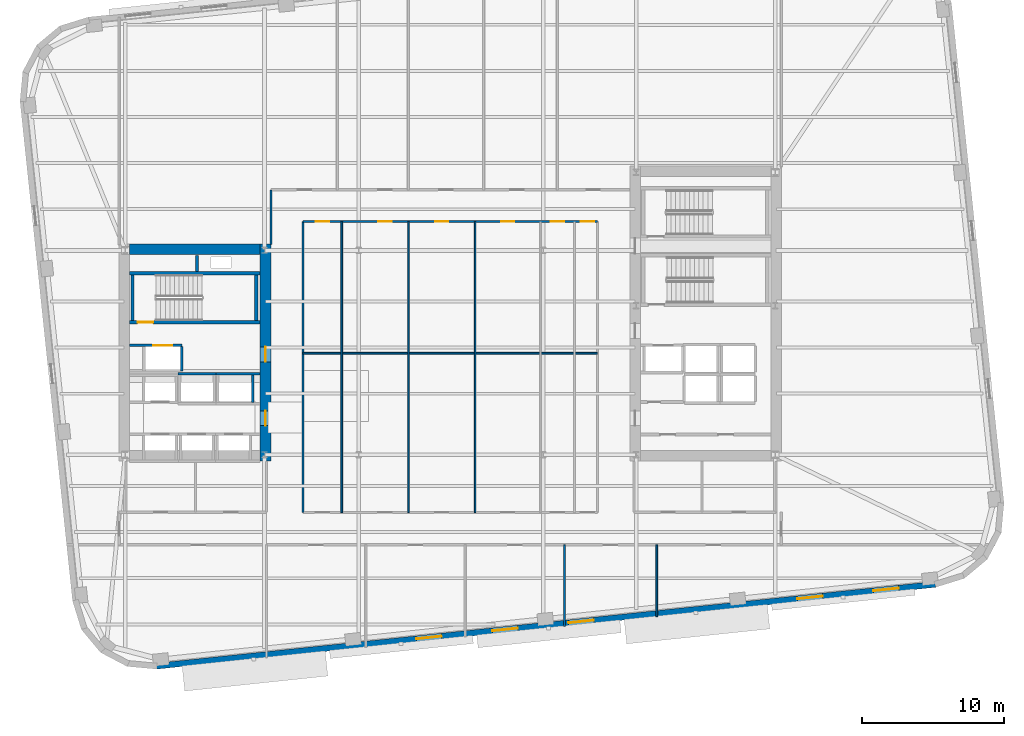
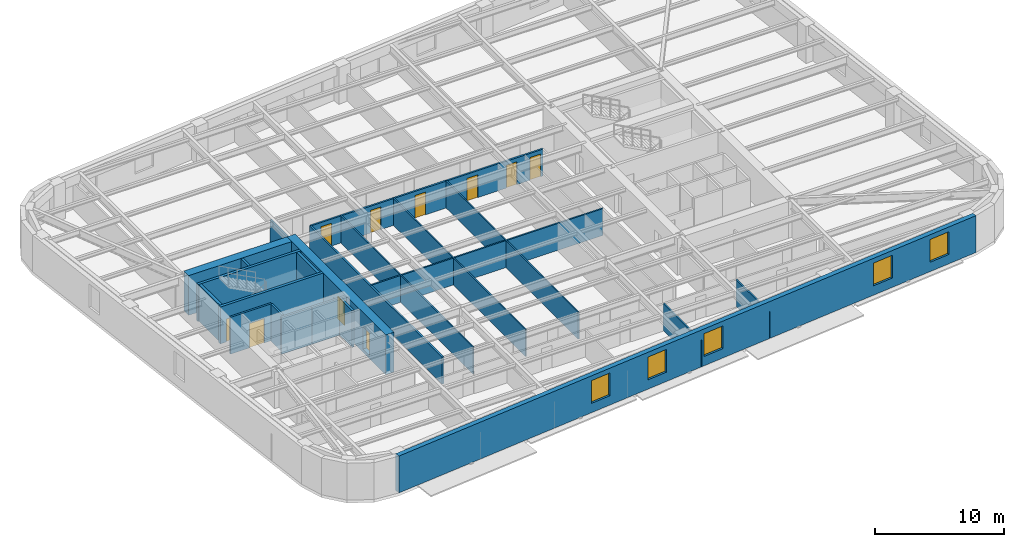
# One storey, part 5 of 13: 22 walls, 10 doors, 5 windows, 15 openings.
"""IFC4 building model written with IfcOpenShell, lengths in metres."""

from ifc_helpers import new_model, si_unit, direction, frame, frame_2d, origin, place, context, subcontext, project, spatial, rectangle, extrude, material, layer, layer_set, type_object, element, fill, save


model = new_model("IFC4")

# Units and contexts
model_context = context("Model", 3, precision=1e-05, world=origin(), true_north=direction((0.0, 1.0)))
body_context = subcontext(model_context, "Body", "Model", "MODEL_VIEW")
ifc_project = project(units=[si_unit("LENGTHUNIT", "METRE"), si_unit("AREAUNIT", "SQUARE_METRE"), si_unit("VOLUMEUNIT", "CUBIC_METRE"), si_unit("PLANEANGLEUNIT", "RADIAN"), si_unit("MASSUNIT", "GRAM", prefix="KILO")], contexts=[model_context])

# Site, building, storey
site_placement = place(None, origin())
site = spatial("IfcSite", under=ifc_project, at=site_placement, CompositionType="ELEMENT")
building_placement = place(site_placement, origin())
building = spatial("IfcBuilding", under=site, at=building_placement, Name="Kolvaren Arena Tower", CompositionType="ELEMENT")
storey_placement = place(building_placement, frame((0.0, 0.0, 145.75)))
storey = spatial("IfcBuildingStorey", under=building, at=storey_placement, Name="L34", CompositionType="ELEMENT", Elevation=145.75)

# Wall
ifc_material_1 = material(Name="Gypsum board acoustic assembly", Category="gypsum")
ifc_layer_1 = layer(ifc_material_1, 0.159912109375)
ifc_layer_set_1 = layer_set([ifc_layer_1], Name="Gypsum board acoustic assembly")
wall_type_1 = type_object("IfcWallType", Name="CORR-160", PredefinedType="PARTITIONING", material=ifc_layer_set_1)
wall_1_placement = place(storey_placement, frame((24.820068359375, 34.25, 0.0), z_axis=(0.0, 0.0, 1.0), x_axis=(0.0, 1.0, 0.0)))
element("IfcWall", 1, at=wall_1_placement, inside=storey, type_object=wall_type_1, Name="Interior Partition Wall (L34)", PredefinedType="PARTITIONING", context=body_context, shape_type="SweptSolid", body=[
    extrude(rectangle(XDim=3.8701171875, YDim=0.159912109375, at=frame_2d((1.93505859375, 0.0))), origin(), (0.0, 0.0, 1.0), 2.5400390625),
])

# Wall, openings, doors
wall_2_placement = place(storey_placement, frame((27.080078125, 35.8798828125, 0.0), z_axis=(0.0, 0.0, 1.0), x_axis=(1.0, 0.0, 0.0)))
wall_2 = element("IfcWall", 2, at=wall_2_placement, inside=storey, type_object=wall_type_1, Name="Interior Partition Wall (L34)", PredefinedType="PARTITIONING", context=body_context, shape_type="SweptSolid", body=[
    extrude(rectangle(XDim=20.739990234375, YDim=0.159912109375, at=frame_2d((10.3701171875, 0.0))), origin(), (0.0, 0.0, 1.0), 2.5400390625),
])
opening_1_placement = place(wall_2_placement, frame((0.89501953125, 0.0, 0.0)))
opening_1 = element("IfcOpeningElement", 3, at=opening_1_placement, cuts=wall_2, Name="Opening D05", PredefinedType="OPENING", context=body_context, shape_type="SweptSolid", body=[
    extrude(rectangle(XDim=0.949951171875, YDim=2.14990234375, at=frame_2d((0.47509765625, 1.074951171875))), frame((0.0, 0.08984375, 0.0), z_axis=(0.0, -1.0, 0.0), x_axis=(1.0, 0.0, 0.0)), (0.0, 0.0, 1.0), 0.179931640625),
])
opening_2_placement = place(wall_2_placement, frame((5.294921875, 0.0, 0.0)))
opening_2 = element("IfcOpeningElement", 4, at=opening_2_placement, cuts=wall_2, Name="Opening D05", PredefinedType="OPENING", context=body_context, shape_type="SweptSolid", body=[
    extrude(rectangle(XDim=0.949951171875, YDim=2.14990234375, at=frame_2d((0.47509765625, 1.074951171875))), frame((0.0, 0.08984375, 0.0), z_axis=(0.0, -1.0, 0.0), x_axis=(1.0, 0.0, 0.0)), (0.0, 0.0, 1.0), 0.179931640625),
])
opening_3_placement = place(wall_2_placement, frame((9.294921875, 0.0, 0.0)))
opening_3 = element("IfcOpeningElement", 5, at=opening_3_placement, cuts=wall_2, Name="Opening D05", PredefinedType="OPENING", context=body_context, shape_type="SweptSolid", body=[
    extrude(rectangle(XDim=0.949951171875, YDim=2.14990234375, at=frame_2d((0.47509765625, 1.074951171875))), frame((0.0, 0.08984375, 0.0), z_axis=(0.0, -1.0, 0.0), x_axis=(1.0, 0.0, 0.0)), (0.0, 0.0, 1.0), 0.179931640625),
])
opening_4_placement = place(wall_2_placement, frame((13.945068359375, 0.0, 0.0)))
opening_4 = element("IfcOpeningElement", 6, at=opening_4_placement, cuts=wall_2, Name="Opening D05", PredefinedType="OPENING", context=body_context, shape_type="SweptSolid", body=[
    extrude(rectangle(XDim=0.949951171875, YDim=2.14990234375, at=frame_2d((0.47509765625, 1.074951171875))), frame((0.0, 0.08984375, 0.0), z_axis=(0.0, -1.0, 0.0), x_axis=(1.0, 0.0, 0.0)), (0.0, 0.0, 1.0), 0.179931640625),
])
opening_5_placement = place(wall_2_placement, frame((17.445068359375, 0.0, 0.0)))
opening_5 = element("IfcOpeningElement", 7, at=opening_5_placement, cuts=wall_2, Name="Opening D05", PredefinedType="OPENING", context=body_context, shape_type="SweptSolid", body=[
    extrude(rectangle(XDim=0.949951171875, YDim=2.14990234375, at=frame_2d((0.47509765625, 1.074951171875))), frame((0.0, 0.08984375, 0.0), z_axis=(0.0, -1.0, 0.0), x_axis=(1.0, 0.0, 0.0)), (0.0, 0.0, 1.0), 0.179931640625),
])
opening_6_placement = place(wall_2_placement, frame((19.570068359375, 0.0, 0.0)))
opening_6 = element("IfcOpeningElement", 8, at=opening_6_placement, cuts=wall_2, Name="Opening D05", PredefinedType="OPENING", context=body_context, shape_type="SweptSolid", body=[
    extrude(rectangle(XDim=0.949951171875, YDim=2.14990234375, at=frame_2d((0.47509765625, 1.074951171875))), frame((0.0, 0.08984375, 0.0), z_axis=(0.0, -1.0, 0.0), x_axis=(1.0, 0.0, 0.0)), (0.0, 0.0, 1.0), 0.179931640625),
])
ifc_material_2 = material(Name="Solid-core oak acoustic office door", Category="wood")
door_type_1 = type_object("IfcDoorType", Name="DOOR-OF-095", OperationType="NOTDEFINED", PredefinedType="DOOR", material=ifc_material_2)
door_1_placement = place(opening_1_placement, origin())
door_1 = element("IfcDoor", 9, at=door_1_placement, inside=storey, type_object=door_type_1, Name="Breakout Pantry and Kitchen Door (L34)", OperationType="SINGLE_SWING_LEFT", OverallHeight=2.14990234375, OverallWidth=0.949951171875, PredefinedType="DOOR", context=body_context, shape_type="SweptSolid", body=[
    extrude(rectangle(XDim=0.949951171875, YDim=2.14990234375, at=frame_2d((0.47509765625, 1.074951171875))), frame((0.0, 0.02490234375, 0.0), z_axis=(0.0, -1.0, 0.0), x_axis=(1.0, 0.0, 0.0)), (0.0, 0.0, 1.0), 0.050048828125),
])
fill(opening_1, door_1)
door_2_placement = place(opening_2_placement, origin())
door_2 = element("IfcDoor", 10, at=door_2_placement, inside=storey, type_object=door_type_1, Name="Open Plan Office Door (L34)", OperationType="SINGLE_SWING_LEFT", OverallHeight=2.14990234375, OverallWidth=0.949951171875, PredefinedType="DOOR", context=body_context, shape_type="SweptSolid", body=[
    extrude(rectangle(XDim=0.949951171875, YDim=2.14990234375, at=frame_2d((0.47509765625, 1.074951171875))), frame((0.0, 0.02490234375, 0.0), z_axis=(0.0, -1.0, 0.0), x_axis=(1.0, 0.0, 0.0)), (0.0, 0.0, 1.0), 0.050048828125),
])
fill(opening_2, door_2)
door_3_placement = place(opening_3_placement, origin())
door_3 = element("IfcDoor", 11, at=door_3_placement, inside=storey, type_object=door_type_1, Name="Executive Office Door (L34)", OperationType="SINGLE_SWING_LEFT", OverallHeight=2.14990234375, OverallWidth=0.949951171875, PredefinedType="DOOR", context=body_context, shape_type="SweptSolid", body=[
    extrude(rectangle(XDim=0.949951171875, YDim=2.14990234375, at=frame_2d((0.47509765625, 1.074951171875))), frame((0.0, 0.02490234375, 0.0), z_axis=(0.0, -1.0, 0.0), x_axis=(1.0, 0.0, 0.0)), (0.0, 0.0, 1.0), 0.050048828125),
])
fill(opening_3, door_3)
door_4_placement = place(opening_4_placement, origin())
door_4 = element("IfcDoor", 12, at=door_4_placement, inside=storey, type_object=door_type_1, Name="Breakout Pantry and Kitchen Door (L34)", OperationType="SINGLE_SWING_LEFT", OverallHeight=2.14990234375, OverallWidth=0.949951171875, PredefinedType="DOOR", context=body_context, shape_type="SweptSolid", body=[
    extrude(rectangle(XDim=0.949951171875, YDim=2.14990234375, at=frame_2d((0.47509765625, 1.074951171875))), frame((0.0, 0.02490234375, 0.0), z_axis=(0.0, -1.0, 0.0), x_axis=(1.0, 0.0, 0.0)), (0.0, 0.0, 1.0), 0.050048828125),
])
fill(opening_4, door_4)
door_5_placement = place(opening_5_placement, origin())
door_5 = element("IfcDoor", 13, at=door_5_placement, inside=storey, type_object=door_type_1, Name="Open Plan Office Door (L34)", OperationType="SINGLE_SWING_LEFT", OverallHeight=2.14990234375, OverallWidth=0.949951171875, PredefinedType="DOOR", context=body_context, shape_type="SweptSolid", body=[
    extrude(rectangle(XDim=0.949951171875, YDim=2.14990234375, at=frame_2d((0.47509765625, 1.074951171875))), frame((0.0, 0.02490234375, 0.0), z_axis=(0.0, -1.0, 0.0), x_axis=(1.0, 0.0, 0.0)), (0.0, 0.0, 1.0), 0.050048828125),
])
fill(opening_5, door_5)
door_6_placement = place(opening_6_placement, origin())
door_6 = element("IfcDoor", 14, at=door_6_placement, inside=storey, type_object=door_type_1, Name="Executive Office Door (L34)", OperationType="SINGLE_SWING_LEFT", OverallHeight=2.14990234375, OverallWidth=0.949951171875, PredefinedType="DOOR", context=body_context, shape_type="SweptSolid", body=[
    extrude(rectangle(XDim=0.949951171875, YDim=2.14990234375, at=frame_2d((0.47509765625, 1.074951171875))), frame((0.0, 0.02490234375, 0.0), z_axis=(0.0, -1.0, 0.0), x_axis=(1.0, 0.0, 0.0)), (0.0, 0.0, 1.0), 0.050048828125),
])
fill(opening_6, door_6)

# Wall
wall_3_placement = place(storey_placement, frame((27.080078125, 15.3798828125, 0.0), z_axis=(0.0, 0.0, 1.0), x_axis=(0.0, 1.0, 0.0)))
element("IfcWall", 15, at=wall_3_placement, inside=storey, type_object=wall_type_1, Name="Interior Partition Wall (L34)", PredefinedType="PARTITIONING", context=body_context, shape_type="SweptSolid", body=[
    extrude(rectangle(XDim=20.5, YDim=0.159912109375, at=frame_2d((10.25, 0.0))), origin(), (0.0, 0.0, 1.0), 2.5400390625),
])

# Wall, openings, doors
ifc_material_3 = material(Name="Concrete 70 MPa", Category="concrete")
ifc_layer_2 = layer(ifc_material_3, 0.75)
ifc_layer_set_2 = layer_set([ifc_layer_2], Name="Concrete 70 MPa")
wall_type_2 = type_object("IfcWallType", Name="CWALL-750", PredefinedType="SHEAR", material=ifc_layer_set_2)
wall_4_placement = place(storey_placement, frame((24.425048828125, 19.0, -0.27001953125), z_axis=(0.0, 0.0, 1.0), x_axis=(0.0, 1.0, 0.0)))
wall_4 = element("IfcWall", 16, at=wall_4_placement, inside=storey, type_object=wall_type_2, Name="Core Shear Wall WC-EAST (L34)", PredefinedType="SHEAR", context=body_context, shape_type="SweptSolid", body=[
    extrude(rectangle(XDim=15.300048828125, YDim=0.75, at=frame_2d((7.64990234375, 0.0))), origin(), (0.0, 0.0, 1.0), 3.75),
])
opening_7_placement = place(wall_4_placement, frame((2.5, 0.0, 0.27001953125)))
opening_7 = element("IfcOpeningElement", 17, at=opening_7_placement, cuts=wall_4, Name="Opening D04", PredefinedType="OPENING", context=body_context, shape_type="SweptSolid", body=[
    extrude(rectangle(XDim=1.050048828125, YDim=2.14990234375, at=frame_2d((0.52490234375, 1.074951171875))), frame((0.0, 0.385009765625, 0.0), z_axis=(0.0, -1.0, 0.0), x_axis=(1.0, 0.0, 0.0)), (0.0, 0.0, 1.0), 0.77001953125),
])
opening_8_placement = place(wall_4_placement, frame((7.0, 0.0, 0.27001953125)))
opening_8 = element("IfcOpeningElement", 18, at=opening_8_placement, cuts=wall_4, Name="Opening D04", PredefinedType="OPENING", context=body_context, shape_type="SweptSolid", body=[
    extrude(rectangle(XDim=1.050048828125, YDim=2.14990234375, at=frame_2d((0.52490234375, 1.074951171875))), frame((0.0, 0.385009765625, 0.0), z_axis=(0.0, -1.0, 0.0), x_axis=(1.0, 0.0, 0.0)), (0.0, 0.0, 1.0), 0.77001953125),
])
ifc_material_4 = material(Name="Fire-rated steel lobby door", Category="steel")
door_type_2 = type_object("IfcDoorType", Name="DOOR-FF-105", OperationType="NOTDEFINED", PredefinedType="DOOR", material=ifc_material_4)
door_7_placement = place(opening_7_placement, origin())
door_7 = element("IfcDoor", 19, at=door_7_placement, inside=storey, type_object=door_type_2, Name="West Lift Lobby Fire Door (L34)", OperationType="SINGLE_SWING_LEFT", OverallHeight=2.14990234375, OverallWidth=1.050048828125, PredefinedType="DOOR", context=body_context, shape_type="SweptSolid", body=[
    extrude(rectangle(XDim=1.050048828125, YDim=2.14990234375, at=frame_2d((0.52490234375, 1.074951171875))), frame((0.0, 0.02490234375, 0.0), z_axis=(0.0, -1.0, 0.0), x_axis=(1.0, 0.0, 0.0)), (0.0, 0.0, 1.0), 0.050048828125),
])
fill(opening_7, door_7)
door_8_placement = place(opening_8_placement, origin())
door_8 = element("IfcDoor", 20, at=door_8_placement, inside=storey, type_object=door_type_2, Name="West Firefighter Vestibule Door (L34)", OperationType="SINGLE_SWING_RIGHT", OverallHeight=2.14990234375, OverallWidth=1.050048828125, PredefinedType="DOOR", context=body_context, shape_type="SweptSolid", body=[
    extrude(rectangle(XDim=1.050048828125, YDim=2.14990234375, at=frame_2d((0.52490234375, 1.074951171875))), frame((0.0, 0.02490234375, 0.0), z_axis=(0.0, -1.0, 0.0), x_axis=(1.0, 0.0, 0.0)), (0.0, 0.0, 1.0), 0.050048828125),
])
fill(opening_8, door_8)

# Wall
wall_5_placement = place(storey_placement, frame((14.85009765625, 33.925048828125, -0.27001953125), z_axis=(0.0, 0.0, 1.0), x_axis=(1.0, 0.0, 0.0)))
element("IfcWall", 21, at=wall_5_placement, inside=storey, type_object=wall_type_2, Name="Core Shear Wall WC-NORTH (L34)", PredefinedType="SHEAR", context=body_context, shape_type="SweptSolid", body=[
    extrude(rectangle(XDim=9.199951171875, YDim=0.75, at=frame_2d((4.60009765625, 0.0))), origin(), (0.0, 0.0, 1.0), 3.75),
])

# Wall, openings, windows
ifc_material_5 = material(Name="Precast concrete C50/60", Category="concrete")
ifc_layer_3 = layer(ifc_material_5, 0.419921875)
ifc_layer_set_3 = layer_set([ifc_layer_3], Name="Precast concrete C50/60")
wall_type_3 = type_object("IfcWallType", Name="EXT-PIER1", PredefinedType="SOLIDWALL", material=ifc_layer_set_3)
wall_6_placement = place(storey_placement, frame((71.641357421875, 10.3203125, 0.0), z_axis=(0.0, 0.0, 1.0), x_axis=(-0.994521775062, -0.104529607897, 0.0)))
wall_6 = element("IfcWall", 22, at=wall_6_placement, inside=storey, type_object=wall_type_3, Name="Exterior Precast Masonry-Frame Wall (L34)", PredefinedType="SOLIDWALL", context=body_context, shape_type="SweptSolid", body=[
    extrude(rectangle(XDim=55.199951171875, YDim=0.419921875, at=frame_2d((27.60009765625, 0.0))), origin(), (0.0, 0.0, 1.0), 3.47998046875),
])
opening_9_placement = place(wall_6_placement, frame((2.60009765625, 0.0, 0.8798828125)))
opening_9 = element("IfcOpeningElement", 23, at=opening_9_placement, cuts=wall_6, Name="Opening W02", PredefinedType="OPENING", context=body_context, shape_type="SweptSolid", body=[
    extrude(rectangle(XDim=1.800048828125, YDim=2.14990234375, at=frame_2d((0.89990234375, 1.074951171875))), frame((0.0, 0.219970703125, 0.0), z_axis=(0.0, -1.0, 0.0), x_axis=(1.0, 0.0, 0.0)), (0.0, 0.0, 1.0), 0.43994140625),
])
opening_10_placement = place(wall_6_placement, frame((8.0, 0.0, 0.8798828125)))
opening_10 = element("IfcOpeningElement", 24, at=opening_10_placement, cuts=wall_6, Name="Opening W02", PredefinedType="OPENING", context=body_context, shape_type="SweptSolid", body=[
    extrude(rectangle(XDim=1.800048828125, YDim=2.14990234375, at=frame_2d((0.89990234375, 1.074951171875))), frame((0.0, 0.219970703125, 0.0), z_axis=(0.0, -1.0, 0.0), x_axis=(1.0, 0.0, 0.0)), (0.0, 0.0, 1.0), 0.43994140625),
])
opening_11_placement = place(wall_6_placement, frame((24.199951171875, 0.0, 0.8798828125)))
opening_11 = element("IfcOpeningElement", 25, at=opening_11_placement, cuts=wall_6, Name="Opening W02", PredefinedType="OPENING", context=body_context, shape_type="SweptSolid", body=[
    extrude(rectangle(XDim=1.800048828125, YDim=2.14990234375, at=frame_2d((0.89990234375, 1.074951171875))), frame((0.0, 0.219970703125, 0.0), z_axis=(0.0, -1.0, 0.0), x_axis=(1.0, 0.0, 0.0)), (0.0, 0.0, 1.0), 0.43994140625),
])
opening_12_placement = place(wall_6_placement, frame((29.60009765625, 0.0, 0.8798828125)))
opening_12 = element("IfcOpeningElement", 26, at=opening_12_placement, cuts=wall_6, Name="Opening W02", PredefinedType="OPENING", context=body_context, shape_type="SweptSolid", body=[
    extrude(rectangle(XDim=1.800048828125, YDim=2.14990234375, at=frame_2d((0.89990234375, 1.074951171875))), frame((0.0, 0.219970703125, 0.0), z_axis=(0.0, -1.0, 0.0), x_axis=(1.0, 0.0, 0.0)), (0.0, 0.0, 1.0), 0.43994140625),
])
opening_13_placement = place(wall_6_placement, frame((35.0, 0.0, 0.8798828125)))
opening_13 = element("IfcOpeningElement", 27, at=opening_13_placement, cuts=wall_6, Name="Opening W02", PredefinedType="OPENING", context=body_context, shape_type="SweptSolid", body=[
    extrude(rectangle(XDim=1.800048828125, YDim=2.14990234375, at=frame_2d((0.89990234375, 1.074951171875))), frame((0.0, 0.219970703125, 0.0), z_axis=(0.0, -1.0, 0.0), x_axis=(1.0, 0.0, 0.0)), (0.0, 0.0, 1.0), 0.43994140625),
])
ifc_material_6 = material(Name="Triple-glazed low-E aluminium window", Category="aluminium")
window_type = type_object("IfcWindowType", Name="WIN-OFF-B", PartitioningType="DOUBLE_PANEL_VERTICAL", PredefinedType="WINDOW", material=ifc_material_6)
window_1_placement = place(opening_9_placement, origin())
window_1 = element("IfcWindow", 28, at=window_1_placement, inside=storey, type_object=window_type, Name="Punched Precast-Pier Window (L34)", OverallHeight=2.14990234375, OverallWidth=1.800048828125, PartitioningType="DOUBLE_PANEL_VERTICAL", PredefinedType="WINDOW", context=body_context, shape_type="SweptSolid", body=[
    extrude(rectangle(XDim=1.800048828125, YDim=2.14990234375, at=frame_2d((0.89990234375, 1.074951171875))), frame((0.0, 0.030029296875, 0.0), z_axis=(0.0, -1.0, 0.0), x_axis=(1.0, 0.0, 0.0)), (0.0, 0.0, 1.0), 0.06005859375),
])
fill(opening_9, window_1)
window_2_placement = place(opening_10_placement, origin())
window_2 = element("IfcWindow", 29, at=window_2_placement, inside=storey, type_object=window_type, Name="Punched Precast-Pier Window (L34)", OverallHeight=2.14990234375, OverallWidth=1.800048828125, PartitioningType="DOUBLE_PANEL_VERTICAL", PredefinedType="WINDOW", context=body_context, shape_type="SweptSolid", body=[
    extrude(rectangle(XDim=1.800048828125, YDim=2.14990234375, at=frame_2d((0.89990234375, 1.074951171875))), frame((0.0, 0.030029296875, 0.0), z_axis=(0.0, -1.0, 0.0), x_axis=(1.0, 0.0, 0.0)), (0.0, 0.0, 1.0), 0.06005859375),
])
fill(opening_10, window_2)
window_3_placement = place(opening_11_placement, origin())
window_3 = element("IfcWindow", 30, at=window_3_placement, inside=storey, type_object=window_type, Name="Punched Precast-Pier Window (L34)", OverallHeight=2.14990234375, OverallWidth=1.800048828125, PartitioningType="DOUBLE_PANEL_VERTICAL", PredefinedType="WINDOW", context=body_context, shape_type="SweptSolid", body=[
    extrude(rectangle(XDim=1.800048828125, YDim=2.14990234375, at=frame_2d((0.89990234375, 1.074951171875))), frame((0.0, 0.030029296875, 0.0), z_axis=(0.0, -1.0, 0.0), x_axis=(1.0, 0.0, 0.0)), (0.0, 0.0, 1.0), 0.06005859375),
])
fill(opening_11, window_3)
window_4_placement = place(opening_12_placement, origin())
window_4 = element("IfcWindow", 31, at=window_4_placement, inside=storey, type_object=window_type, Name="Punched Precast-Pier Window (L34)", OverallHeight=2.14990234375, OverallWidth=1.800048828125, PartitioningType="DOUBLE_PANEL_VERTICAL", PredefinedType="WINDOW", context=body_context, shape_type="SweptSolid", body=[
    extrude(rectangle(XDim=1.800048828125, YDim=2.14990234375, at=frame_2d((0.89990234375, 1.074951171875))), frame((0.0, 0.030029296875, 0.0), z_axis=(0.0, -1.0, 0.0), x_axis=(1.0, 0.0, 0.0)), (0.0, 0.0, 1.0), 0.06005859375),
])
fill(opening_12, window_4)
window_5_placement = place(opening_13_placement, origin())
window_5 = element("IfcWindow", 32, at=window_5_placement, inside=storey, type_object=window_type, Name="Punched Precast-Pier Window (L34)", OverallHeight=2.14990234375, OverallWidth=1.800048828125, PartitioningType="DOUBLE_PANEL_VERTICAL", PredefinedType="WINDOW", context=body_context, shape_type="SweptSolid", body=[
    extrude(rectangle(XDim=1.800048828125, YDim=2.14990234375, at=frame_2d((0.89990234375, 1.074951171875))), frame((0.0, 0.030029296875, 0.0), z_axis=(0.0, -1.0, 0.0), x_axis=(1.0, 0.0, 0.0)), (0.0, 0.0, 1.0), 0.06005859375),
])
fill(opening_13, window_5)

# Walls
ifc_material_7 = material(Name="Gypsum board partition assembly", Category="gypsum")
ifc_layer_4 = layer(ifc_material_7, 0.114990234375)
ifc_layer_set_4 = layer_set([ifc_layer_4], Name="Gypsum board partition assembly")
wall_type_4 = type_object("IfcWallType", Name="PART-115", PredefinedType="PARTITIONING", material=ifc_layer_set_4)
for number, where, z_axis, x_axis, name in (
    (33, (29.800048828125, 15.3798828125, 0.0), (0.0, 0.0, 1.0), (0.0, 1.0, 0.0), "Interior Partition Wall (L34)"),
    (34, (34.5, 15.3798828125, 0.0), (0.0, 0.0, 1.0), (0.0, 1.0, 0.0), "Interior Partition Wall (L34)"),
    (35, (39.199951171875, 15.3798828125, 0.0), (0.0, 0.0, 1.0), (0.0, 1.0, 0.0), "Interior Partition Wall (L34)"),
):
    element("IfcWall", number, at=place(storey_placement, frame(where, z_axis=z_axis, x_axis=x_axis)), inside=storey, type_object=wall_type_4, Name=name, PredefinedType="PARTITIONING", context=body_context, shape_type="SweptSolid", body=[
        extrude(rectangle(XDim=20.5, YDim=0.114990234375, at=frame_2d((10.25, 0.0))), origin(), (0.0, 0.0, 1.0), 2.5400390625),
    ])
ifc_layer_5 = layer(ifc_material_7, 0.135009765625)
ifc_layer_set_5 = layer_set([ifc_layer_5], Name="Gypsum board partition assembly")
wall_type_5 = type_object("IfcWallType", Name="PART-135", PredefinedType="PARTITIONING", material=ifc_layer_set_5)
wall_7_placement = place(storey_placement, frame((45.5, 7.361572265625, 0.0), z_axis=(0.0, 0.0, 1.0), x_axis=(0.0, 1.0, 0.0)))
element("IfcWall", 36, at=wall_7_placement, inside=storey, type_object=wall_type_5, Name="Interior Partition Wall (L34)", PredefinedType="PARTITIONING", context=body_context, shape_type="SweptSolid", body=[
    extrude(rectangle(XDim=5.738525390625, YDim=0.135009765625, at=frame_2d((2.869140625, 0.0))), origin(), (0.0, 0.0, 1.0), 2.5400390625),
])
wall_8_placement = place(storey_placement, frame((52.0, 8.044921875, 0.0), z_axis=(0.0, 0.0, 1.0), x_axis=(0.0, 1.0, 0.0)))
element("IfcWall", 37, at=wall_8_placement, inside=storey, type_object=wall_type_5, Name="Interior Partition Wall (L34)", PredefinedType="PARTITIONING", context=body_context, shape_type="SweptSolid", body=[
    extrude(rectangle(XDim=5.05517578125, YDim=0.135009765625, at=frame_2d((2.527587890625, 0.0))), origin(), (0.0, 0.0, 1.0), 2.5400390625),
])
wall_9_placement = place(storey_placement, frame((27.080078125, 26.60009765625, 0.0), z_axis=(0.0, 0.0, 1.0), x_axis=(1.0, 0.0, 0.0)))
element("IfcWall", 38, at=wall_9_placement, inside=storey, type_object=wall_type_5, Name="Interior Partition Wall (L34)", PredefinedType="PARTITIONING", context=body_context, shape_type="SweptSolid", body=[
    extrude(rectangle(XDim=20.739990234375, YDim=0.135009765625, at=frame_2d((10.3701171875, 0.0))), origin(), (0.0, 0.0, 1.0), 2.5400390625),
])

# Wall, opening, door
ifc_material_8 = material(Name="Concrete 45 MPa", Category="concrete")
ifc_layer_6 = layer(ifc_material_8, 0.25)
ifc_layer_set_6 = layer_set([ifc_layer_6], Name="Concrete 45 MPa")
wall_type_6 = type_object("IfcWallType", Name="SHAFT-250", PredefinedType="SOLIDWALL", material=ifc_layer_set_6)
wall_10_placement = place(storey_placement, frame((24.050048828125, 28.780029296875, 0.0), z_axis=(0.0, 0.0, 1.0), x_axis=(-1.0, 0.0, 0.0)))
wall_10 = element("IfcWall", 39, at=wall_10_placement, inside=storey, type_object=wall_type_6, Name="Core Shaft Wall (L34)", PredefinedType="SOLIDWALL", context=body_context, shape_type="SweptSolid", body=[
    extrude(rectangle(XDim=9.199951171875, YDim=0.239990234375, at=frame_2d((4.60009765625, 0.0))), origin(), (0.0, 0.0, 1.0), 3.47998046875),
])
opening_14_placement = place(wall_10_placement, frame((7.530029296875, 0.0, 0.0)))
opening_14 = element("IfcOpeningElement", 40, at=opening_14_placement, cuts=wall_10, Name="Opening D03", PredefinedType="OPENING", context=body_context, shape_type="SweptSolid", body=[
    extrude(rectangle(XDim=1.10009765625, YDim=2.14990234375, at=frame_2d((0.550048828125, 1.074951171875))), frame((0.0, 0.1298828125, 0.0), z_axis=(0.0, -1.0, 0.0), x_axis=(1.0, 0.0, 0.0)), (0.0, 0.0, 1.0), 0.260009765625),
])
ifc_material_9 = material(Name="Fire-rated steel exit stair door", Category="steel")
door_type_3 = type_object("IfcDoorType", Name="DOOR-ST-110", OperationType="NOTDEFINED", PredefinedType="DOOR", material=ifc_material_9)
door_9_placement = place(opening_14_placement, origin())
door_9 = element("IfcDoor", 41, at=door_9_placement, inside=storey, type_object=door_type_3, Name="Stair ST-W1 Fire Door (L34)", OperationType="SINGLE_SWING_RIGHT", OverallHeight=2.14990234375, OverallWidth=1.10009765625, PredefinedType="DOOR", context=body_context, shape_type="SweptSolid", body=[
    extrude(rectangle(XDim=1.10009765625, YDim=2.14990234375, at=frame_2d((0.550048828125, 1.074951171875))), frame((0.0, 0.02490234375, 0.0), z_axis=(0.0, -1.0, 0.0), x_axis=(1.0, 0.0, 0.0)), (0.0, 0.0, 1.0), 0.050048828125),
])
fill(opening_14, door_9)

# Walls
wall_11_placement = place(storey_placement, frame((14.85009765625, 32.25, 0.0), z_axis=(0.0, 0.0, 1.0), x_axis=(1.0, 0.0, 0.0)))
element("IfcWall", 42, at=wall_11_placement, inside=storey, type_object=wall_type_6, Name="Core Shaft Wall (L34)", PredefinedType="SOLIDWALL", context=body_context, shape_type="SweptSolid", body=[
    extrude(rectangle(XDim=9.199951171875, YDim=0.239990234375, at=frame_2d((4.60009765625, 0.0))), origin(), (0.0, 0.0, 1.0), 3.47998046875),
])
for number, where, z_axis, x_axis, name in (
    (43, (15.06005859375, 28.89990234375, 0.0), (0.0, 0.0, 1.0), (0.0, 1.0, 0.0), "Core Shaft Wall (L34)"),
    (44, (23.780029296875, 28.89990234375, 0.0), (0.0, 0.0, 1.0), (0.0, 1.0, 0.0), "Core Shaft Wall (L34)"),
):
    element("IfcWall", number, at=place(storey_placement, frame(where, z_axis=z_axis, x_axis=x_axis)), inside=storey, type_object=wall_type_6, Name=name, PredefinedType="SOLIDWALL", context=body_context, shape_type="SweptSolid", body=[
        extrude(rectangle(XDim=3.22998046875, YDim=0.239990234375, at=frame_2d((1.614990234375, 0.0))), origin(), (0.0, 0.0, 1.0), 3.47998046875),
    ])
wall_12_placement = place(storey_placement, frame((19.60009765625, 32.3701171875, 0.0), z_axis=(0.0, 0.0, 1.0), x_axis=(0.0, 1.0, 0.0)))
element("IfcWall", 45, at=wall_12_placement, inside=storey, type_object=wall_type_6, Name="Core Shaft Wall (L34)", PredefinedType="SOLIDWALL", context=body_context, shape_type="SweptSolid", body=[
    extrude(rectangle(XDim=1.1298828125, YDim=0.199951171875, at=frame_2d((0.56494140625, 0.0))), origin(), (0.0, 0.0, 1.0), 3.47998046875),
])
wall_13_placement = place(storey_placement, frame((18.262451171875, 25.155029296875, 0.0), z_axis=(0.0, 0.0, 1.0), x_axis=(1.0, 0.0, 0.0)))
element("IfcWall", 46, at=wall_13_placement, inside=storey, type_object=wall_type_6, Name="Core Shaft Wall (L34)", PredefinedType="SOLIDWALL", context=body_context, shape_type="SweptSolid", body=[
    extrude(rectangle(XDim=2.6875, YDim=0.179931640625, at=frame_2d((1.34375, 0.0))), origin(), (0.0, 0.0, 1.0), 3.47998046875),
])
wall_14_placement = place(storey_placement, frame((20.949951171875, 25.155029296875, 0.0), z_axis=(0.0, 0.0, 1.0), x_axis=(1.0, 0.0, 0.0)))
element("IfcWall", 47, at=wall_14_placement, inside=storey, type_object=wall_type_6, Name="Core Shaft Wall (L34)", PredefinedType="SOLIDWALL", context=body_context, shape_type="SweptSolid", body=[
    extrude(rectangle(XDim=3.10009765625, YDim=0.179931640625, at=frame_2d((1.550048828125, 0.0))), origin(), (0.0, 0.0, 1.0), 3.47998046875),
])
wall_15_placement = place(storey_placement, frame((23.530029296875, 23.135009765625, 0.0), z_axis=(0.0, 0.0, 1.0), x_axis=(0.0, 1.0, 0.0)))
element("IfcWall", 48, at=wall_15_placement, inside=storey, type_object=wall_type_6, Name="Core Shaft Wall (L34)", PredefinedType="SOLIDWALL", context=body_context, shape_type="SweptSolid", body=[
    extrude(rectangle(XDim=1.929931640625, YDim=0.179931640625, at=frame_2d((0.96484375, 0.0))), origin(), (0.0, 0.0, 1.0), 3.47998046875),
])

# Wall, opening, door
wall_16_placement = place(storey_placement, frame((14.85009765625, 27.155029296875, 0.0), z_axis=(0.0, 0.0, 1.0), x_axis=(1.0, 0.0, 0.0)))
wall_16 = element("IfcWall", 49, at=wall_16_placement, inside=storey, type_object=wall_type_6, Name="Core Shaft Wall (L34)", PredefinedType="SOLIDWALL", context=body_context, shape_type="SweptSolid", body=[
    extrude(rectangle(XDim=3.679931640625, YDim=0.179931640625, at=frame_2d((1.83984375, 0.0))), origin(), (0.0, 0.0, 1.0), 3.47998046875),
])
opening_15_placement = place(wall_16_placement, frame((1.675048828125, 0.0, 0.0)))
opening_15 = element("IfcOpeningElement", 50, at=opening_15_placement, cuts=wall_16, Name="Opening LD2", PredefinedType="OPENING", context=body_context, shape_type="SweptSolid", body=[
    extrude(rectangle(XDim=1.35009765625, YDim=2.300048828125, at=frame_2d((0.675048828125, 1.14990234375))), frame((0.0, 0.099853515625, 0.0), z_axis=(0.0, -1.0, 0.0), x_axis=(1.0, 0.0, 0.0)), (0.0, 0.0, 1.0), 0.199951171875),
])
ifc_material_10 = material(Name="Stainless steel firefighter lift landing door", Category="steel")
door_type_4 = type_object("IfcDoorType", Name="DOOR-LD-135", OperationType="DOUBLE_DOOR_SLIDING", PredefinedType="DOOR", material=ifc_material_10)
door_10_placement = place(opening_15_placement, origin())
door_10 = element("IfcDoor", 51, at=door_10_placement, inside=storey, type_object=door_type_4, Name="Firefighter Lift FF-W1 Landing Door (L34)", OperationType="DOUBLE_DOOR_SLIDING", OverallHeight=2.300048828125, OverallWidth=1.35009765625, PredefinedType="DOOR", context=body_context, shape_type="SweptSolid", body=[
    extrude(rectangle(XDim=1.35009765625, YDim=2.300048828125, at=frame_2d((0.675048828125, 1.14990234375))), frame((0.0, 0.02490234375, 0.0), z_axis=(0.0, -1.0, 0.0), x_axis=(1.0, 0.0, 0.0)), (0.0, 0.0, 1.0), 0.050048828125),
])
fill(opening_15, door_10)

# Wall
wall_17_placement = place(storey_placement, frame((18.530029296875, 25.3349609375, 0.0), z_axis=(0.0, 0.0, 1.0), x_axis=(0.0, 1.0, 0.0)))
element("IfcWall", 52, at=wall_17_placement, inside=storey, type_object=wall_type_6, Name="Core Shaft Wall (L34)", PredefinedType="SOLIDWALL", context=body_context, shape_type="SweptSolid", body=[
    extrude(rectangle(XDim=1.72998046875, YDim=0.179931640625, at=frame_2d((0.864990234375, 0.0))), origin(), (0.0, 0.0, 1.0), 3.47998046875),
])

save(model, "model.ifc")
